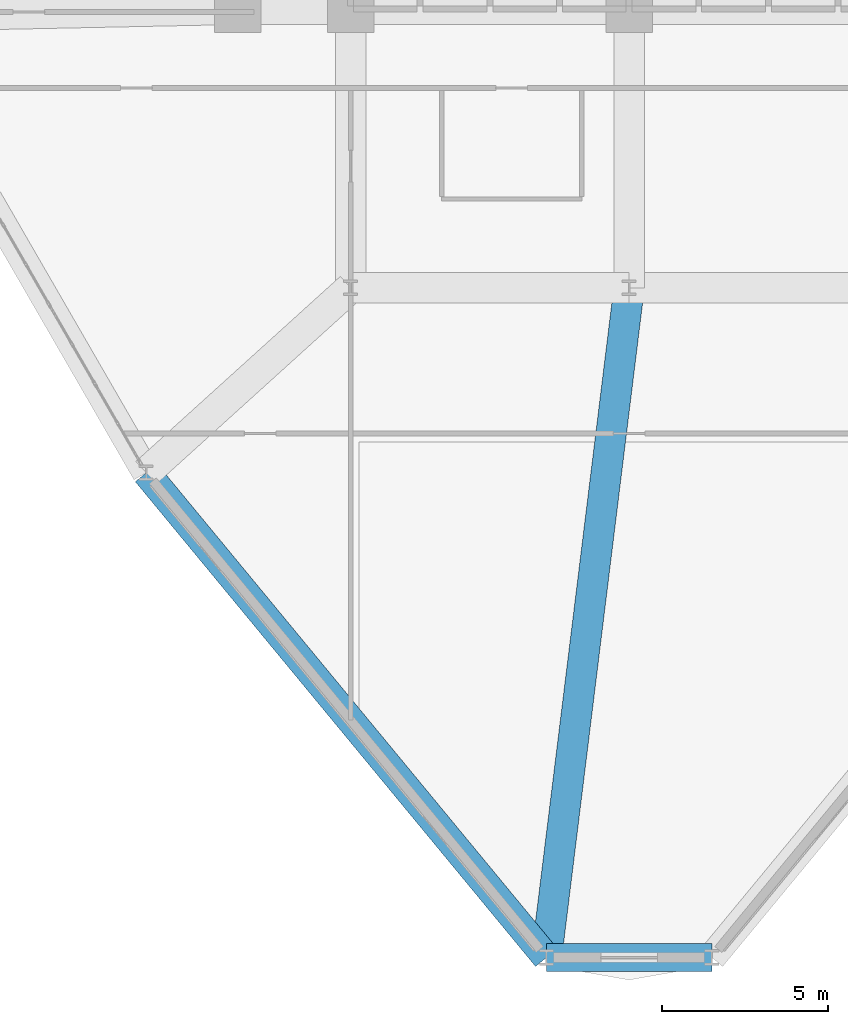
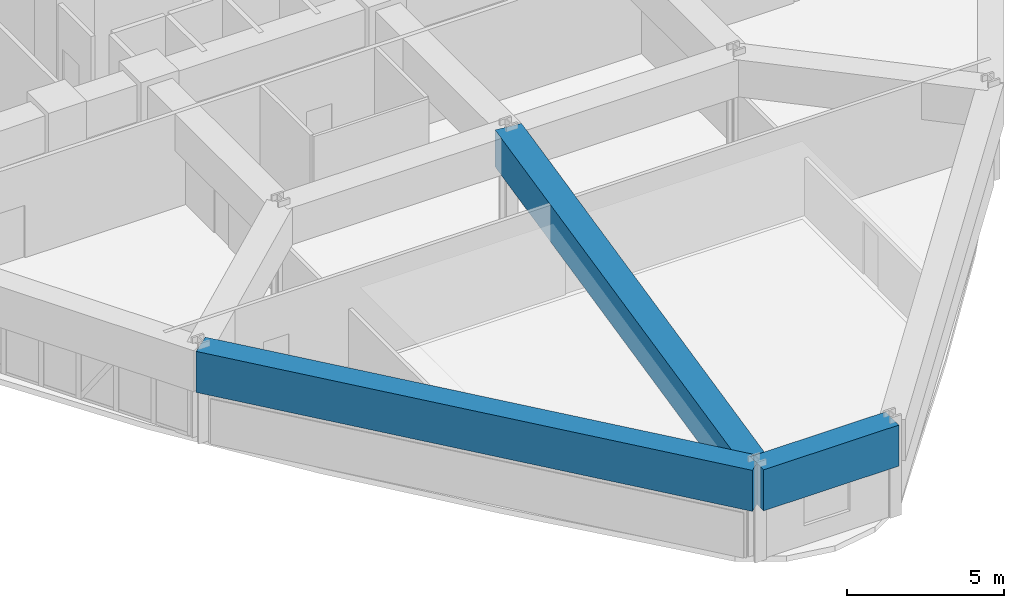
# One storey, part 3 of 20: 3 beams.
"""IFC4 building model written with IfcOpenShell, lengths in metres."""

from ifc_helpers import new_model, si_unit, derived_unit, direction, frame, origin, origin_2d, place, context, subcontext, project, spatial, rectangle, extrude, source, transform, mapped, material, material_profile, profile_set, type_object, element, save


model = new_model("IFC4")

# Units and contexts
model_context = context("Model", 3, precision=1e-05, world=origin(), true_north=direction((0.0, 1.0)))
body_context = subcontext(model_context, "Body", "Model", "MODEL_VIEW")
ifc_project = project(units=[si_unit("LENGTHUNIT", "METRE"), si_unit("AREAUNIT", "SQUARE_METRE"), si_unit("VOLUMEUNIT", "CUBIC_METRE"), si_unit("PLANEANGLEUNIT", "RADIAN"), si_unit("MASSUNIT", "GRAM", prefix="KILO"), derived_unit("THERMALTRANSMITTANCEUNIT", [(si_unit("POWERUNIT", "WATT"), 1), (si_unit("LENGTHUNIT", "METRE"), -2), (si_unit("THERMODYNAMICTEMPERATUREUNIT", "KELVIN"), -1)])], contexts=[model_context])

# Site, building, storey
site_placement = place(None, origin())
site = spatial("IfcSite", under=ifc_project, at=site_placement, CompositionType="ELEMENT")
building_placement = place(site_placement, origin())
building = spatial("IfcBuilding", under=site, at=building_placement, Name="Korsvarv Bourse and Concert Hall", CompositionType="ELEMENT")
storey_placement = place(building_placement, frame((0.0, 0.0, 39.60009765625)))
storey = spatial("IfcBuildingStorey", under=building, at=storey_placement, Name="L09", CompositionType="ELEMENT", Elevation=39.60009765625)

# Beams
ifc_material_1 = material(Name="Concrete C55/67", Category="concrete")
ifc_material_profile_1 = material_profile(ifc_material_1, rectangle(XDim=0.85009765625, YDim=1.60009765625, at=origin_2d()), Name="RC-BM 850x1600")
ifc_profile_set_1 = profile_set([ifc_material_profile_1], Name="Concrete C55/67")
beam_type_1 = type_object("IfcBeamType", Name="BM-TR1B", PredefinedType="BEAM", material=ifc_profile_set_1)
shared_shape_1 = source(origin(), body_context, "Body", "SweptSolid", [
    extrude(rectangle(XDim=0.85009765625, YDim=1.60009765625, at=origin_2d()), origin(), (0.0, 0.0, 1.0), 18.95849609375),
])
beam_1_placement = place(storey_placement, frame((21.436279296875, 18.422119140625, 2.8798828125), z_axis=(0.636697061267, -0.771114033184, 0.0), x_axis=(0.771114033184, 0.636697061267, 0.0)))
element("IfcBeam", 1, at=beam_1_placement, inside=storey, type_object=beam_type_1, Name="L09 beam B-TR2", PredefinedType="BEAM", context=body_context, shape_type="MappedRepresentation", body=[
    mapped(shared_shape_1, transform((0.0, 0.0, 0.0), scale=1.0)),
])
shared_shape_2 = source(origin(), body_context, "Body", "SweptSolid", [
    extrude(rectangle(XDim=0.85009765625, YDim=1.60009765625, at=origin_2d()), origin(), (0.0, 0.0, 1.0), 4.98583984375),
])
beam_2_placement = place(storey_placement, frame((33.507080078125, 3.802978515625, 2.8798828125), z_axis=(1.0, 0.0, 0.0), x_axis=(0.0, 1.0, 0.0)))
element("IfcBeam", 2, at=beam_2_placement, inside=storey, type_object=beam_type_1, Name="L09 beam B-TR2", PredefinedType="BEAM", context=body_context, shape_type="MappedRepresentation", body=[
    mapped(shared_shape_2, transform((0.0, 0.0, 0.0), scale=1.0)),
])
ifc_material_2 = material(Name="Concrete C50/60", Category="concrete")
ifc_material_profile_2 = material_profile(ifc_material_2, rectangle(XDim=0.919921875, YDim=1.43994140625, at=origin_2d()), Name="RC-BM 920x1440")
ifc_profile_set_2 = profile_set([ifc_material_profile_2], Name="Concrete C50/60")
beam_type_2 = type_object("IfcBeamType", Name="BM-TR-144", PredefinedType="BEAM", material=ifc_profile_set_2)
shared_shape_3 = source(origin(), body_context, "Body", "SweptSolid", [
    extrude(rectangle(XDim=0.919921875, YDim=1.43994140625, at=origin_2d()), origin(), (0.0, 0.0, 1.0), 20.350341796875),
])
beam_3_placement = place(storey_placement, frame((33.507080078125, 3.802978515625, 2.9599609375), z_axis=(0.122500458282, 0.992468456789, 0.0), x_axis=(-0.992468456789, 0.122500458282, 0.0)))
element("IfcBeam", 3, at=beam_3_placement, inside=storey, type_object=beam_type_2, Name="L09 beam B-TR4", PredefinedType="BEAM", context=body_context, shape_type="MappedRepresentation", body=[
    mapped(shared_shape_3, transform((0.0, 0.0, 0.0), scale=1.0)),
])

save(model, "model.ifc")
